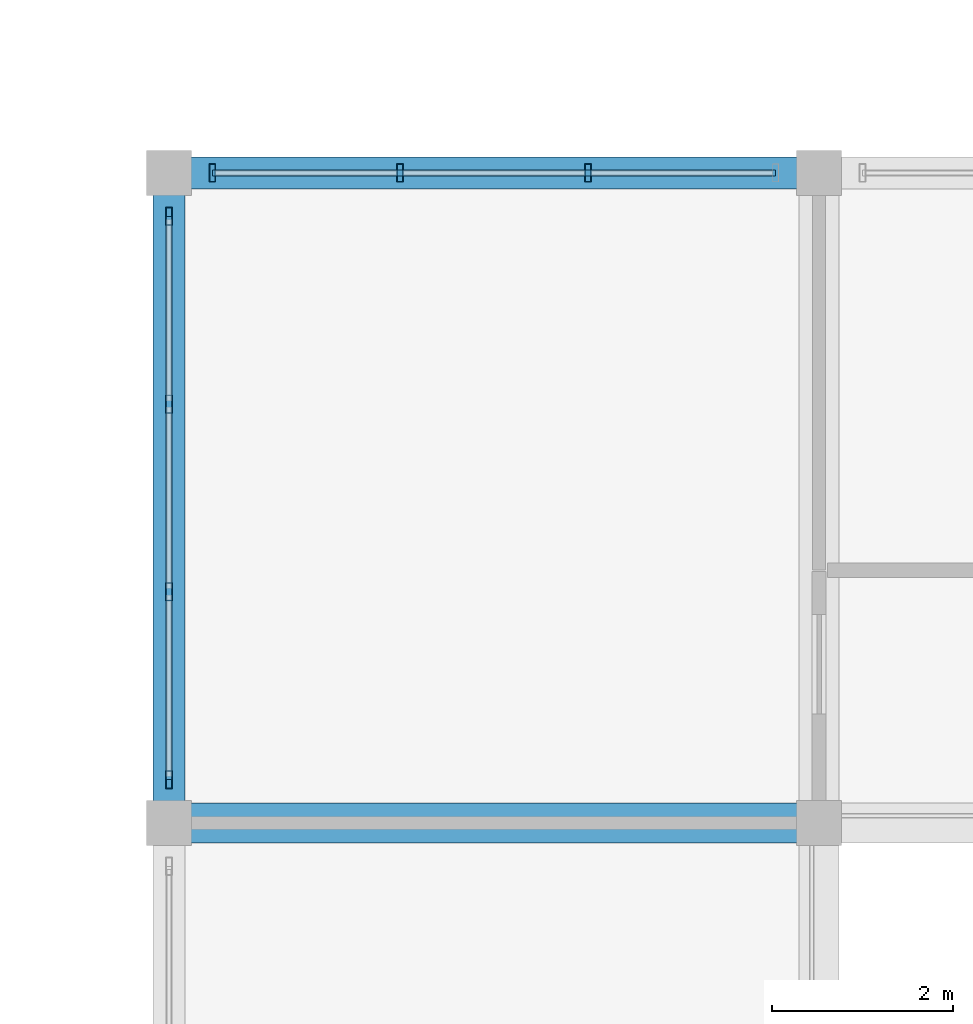
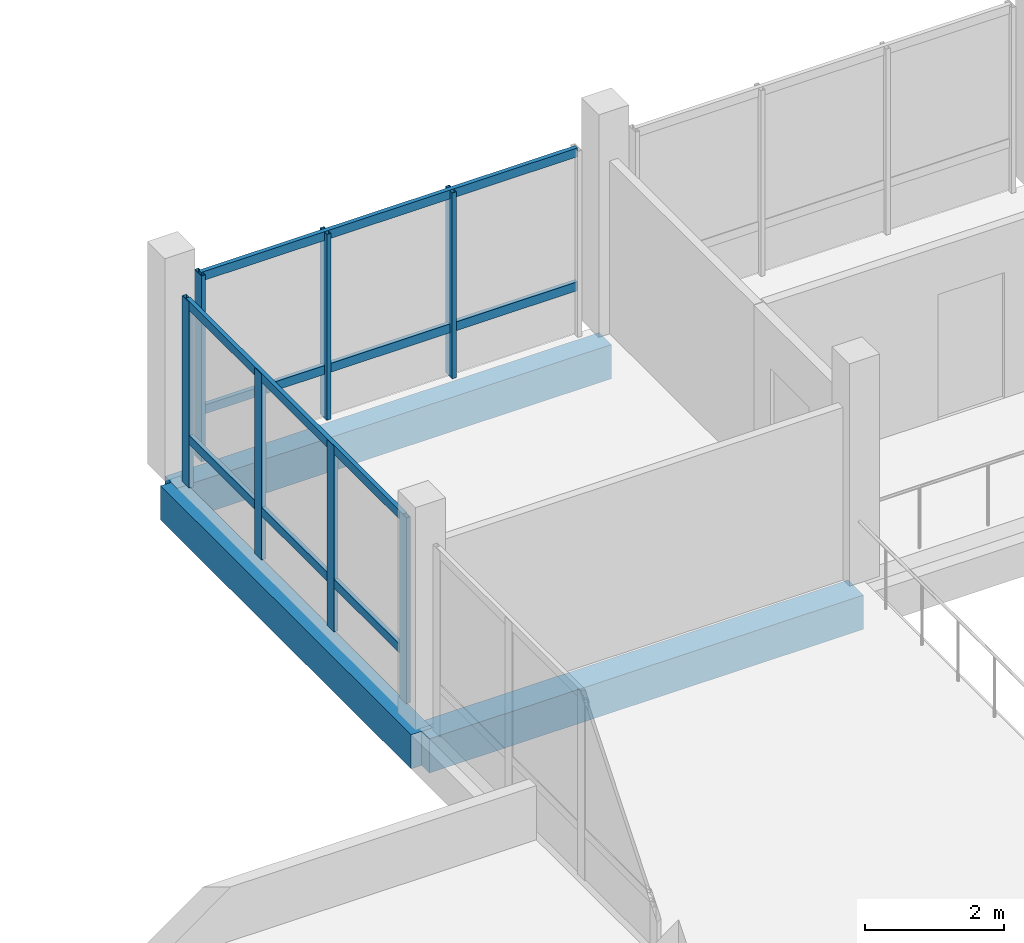
# One storey, part 38 of 128: 11 members, 3 beams, 2 elements without a shape of their own.
"""IFC4 building model written with IfcOpenShell, lengths in metres."""

from ifc_helpers import new_model, si_unit, direction, frame, origin, origin_2d, place, context, subcontext, project, spatial, rectangle, hollow_rectangle, extrude, material, material_profile, profile_set, type_object, element, aggregate, save


model = new_model("IFC4")

# Units and contexts
model_context = context("Model", 3, precision=1e-05, world=origin(), true_north=direction((0.0, 1.0)))
body_context = subcontext(model_context, "Body", "Model", "MODEL_VIEW")
ifc_project = project(units=[si_unit("LENGTHUNIT", "METRE"), si_unit("AREAUNIT", "SQUARE_METRE"), si_unit("VOLUMEUNIT", "CUBIC_METRE"), si_unit("PLANEANGLEUNIT", "RADIAN"), si_unit("MASSUNIT", "GRAM", prefix="KILO")], contexts=[model_context])

# Site, building, storey
site_placement = place(None, origin())
site = spatial("IfcSite", under=ifc_project, at=site_placement, CompositionType="ELEMENT")
building_placement = place(site_placement, origin())
building = spatial("IfcBuilding", under=site, at=building_placement, Name="Zornivar Specialist Clinic", CompositionType="ELEMENT")
storey_placement = place(building_placement, frame((0.0, 0.0, 4.5)))
storey = spatial("IfcBuildingStorey", under=building, at=storey_placement, Name="L01", CompositionType="ELEMENT", Elevation=4.5)

# Beams
ifc_material_1 = material(Name="Concrete C30/37", Category="concrete")
ifc_material_profile_1 = material_profile(ifc_material_1, rectangle(XDim=0.43994140625, YDim=0.60009765625, at=origin_2d()), Name="RC 440x600")
ifc_profile_set_1 = profile_set([ifc_material_profile_1], Name="Concrete C30/37")
beam_type_1 = type_object("IfcBeamType", Name="BM-RC-440x600", PredefinedType="BEAM", material=ifc_profile_set_1)
beam_placement = place(storey_placement, frame((122.39990234375, 14.39990234375, -0.56005859375), z_axis=(1.0, 0.0, 0.0), x_axis=(0.0, 1.0, 0.0)))
element("IfcBeam", 1, at=beam_placement, inside=storey, type_object=beam_type_1, Name="bm:V4:L01:x:144:0", PredefinedType="BEAM", context=body_context, shape_type="SweptSolid", body=[
    extrude(rectangle(XDim=0.43994140625, YDim=0.60009765625, at=origin_2d()), origin(), (0.0, 0.0, 1.0), 7.2001953125),
])
ifc_material_2 = material(Name="Concrete C30/37", Category="concrete")
ifc_material_profile_2 = material_profile(ifc_material_2, rectangle(XDim=0.35009765625, YDim=0.60009765625, at=origin_2d()), Name="RC 350x600")
ifc_profile_set_2 = profile_set([ifc_material_profile_2], Name="Concrete C30/37")
beam_type_2 = type_object("IfcBeamType", Name="BM-RC-SPANDREL-350x600", PredefinedType="SPANDREL", material=ifc_profile_set_2)
for number, where, z_axis, x_axis, name in (
    (2, (122.39990234375, 21.60009765625, -0.56005859375), (1.0, 0.0, 0.0), (0.0, 1.0, 0.0), "bm:V4:L01:x:216:0"),
    (3, (122.39990234375, 14.39990234375, -0.56005859375), (0.0, 1.0, 0.0), (-1.0, 0.0, 0.0), "bm:V4:L01:y:1224:2"),
):
    element("IfcBeam", number, at=place(storey_placement, frame(where, z_axis=z_axis, x_axis=x_axis)), inside=storey, type_object=beam_type_2, Name=name, PredefinedType="SPANDREL", context=body_context, shape_type="SweptSolid", body=[
        extrude(rectangle(XDim=0.35009765625, YDim=0.60009765625, at=origin_2d()), origin(), (0.0, 0.0, 1.0), 7.2001953125),
    ])

# Curtain wall, members
ifc_material_3 = material(Name="Aluminium and Low-E Glass Curtain Wall", Category="aluminium")
curtain_wall_type = type_object("IfcCurtainWallType", Name="CW-WINTERGARDEN", PredefinedType="NOTDEFINED", material=ifc_material_3)
curtain_wall_1_placement = place(storey_placement, origin())
curtain_wall_1 = element("IfcCurtainWall", 4, at=curtain_wall_1_placement, inside=storey, type_object=curtain_wall_type, Name="cw:V4:L01:14", PredefinedType="NOTDEFINED")
ifc_material_4 = material(Name="Aluminium AW-6060", Category="aluminium")
ifc_material_profile_3 = material_profile(ifc_material_4, hollow_rectangle(XDim=0.070068359375, YDim=0.199951171875, WallThickness=0.0048828125, at=origin_2d()), Name="ALU 70x200x5")
ifc_profile_set_3 = profile_set([ifc_material_profile_3], Name="Aluminium AW-6060")
member_type_1 = type_object("IfcMemberType", Name="CWM-MUL-200", PredefinedType="MULLION", material=ifc_profile_set_3)
member_1_placement = place(storey_placement, frame((127.0400390625, 21.60009765625, 0.0), z_axis=(0.0, 0.0, 1.0), x_axis=(1.0, 0.0, 0.0)))
member_1 = element("IfcMember", 5, at=member_1_placement, type_object=member_type_1, Name="cw:V4:L01:14:mul:1", PredefinedType="MULLION", context=body_context, shape_type="SweptSolid", body=[
    extrude(hollow_rectangle(XDim=0.070068359375, YDim=0.199951171875, WallThickness=0.0048828125, at=origin_2d()), origin(), (0.0, 0.0, 1.0), 3.260009765625),
])
member_2_placement = place(storey_placement, frame((124.9599609375, 21.60009765625, 0.0), z_axis=(0.0, 0.0, 1.0), x_axis=(1.0, 0.0, 0.0)))
member_2 = element("IfcMember", 6, at=member_2_placement, type_object=member_type_1, Name="cw:V4:L01:14:mul:2", PredefinedType="MULLION", context=body_context, shape_type="SweptSolid", body=[
    extrude(hollow_rectangle(XDim=0.070068359375, YDim=0.199951171875, WallThickness=0.0048828125, at=origin_2d()), origin(), (0.0, 0.0, 1.0), 3.260009765625),
])
member_3_placement = place(storey_placement, frame((122.8798828125, 21.60009765625, 0.0), z_axis=(0.0, 0.0, 1.0), x_axis=(1.0, 0.0, 0.0)))
member_3 = element("IfcMember", 7, at=member_3_placement, type_object=member_type_1, Name="cw:V4:L01:14:mul:3", PredefinedType="MULLION", context=body_context, shape_type="SweptSolid", body=[
    extrude(hollow_rectangle(XDim=0.070068359375, YDim=0.199951171875, WallThickness=0.0048828125, at=origin_2d()), origin(), (0.0, 0.0, 1.0), 3.260009765625),
])

curtain_wall_2_placement = place(storey_placement, origin())
curtain_wall_2 = element("IfcCurtainWall", 8, at=curtain_wall_2_placement, inside=storey, type_object=curtain_wall_type, Name="cw:V4:L01:15", PredefinedType="NOTDEFINED")
member_4_placement = place(storey_placement, frame((122.39990234375, 21.1201171875, 0.0), z_axis=(0.0, 0.0, 1.0), x_axis=(1.0, 0.0, 0.0)))
member_4 = element("IfcMember", 9, at=member_4_placement, type_object=member_type_1, Name="cw:V4:L01:15:mul:0", PredefinedType="MULLION", context=body_context, shape_type="SweptSolid", body=[
    extrude(hollow_rectangle(XDim=0.070068359375, YDim=0.199951171875, WallThickness=0.0048828125, at=origin_2d()), origin(), (0.0, 0.0, 1.0), 3.260009765625),
])
member_5_placement = place(storey_placement, frame((122.39990234375, 19.0400390625, 0.0), z_axis=(0.0, 0.0, 1.0), x_axis=(1.0, 0.0, 0.0)))
member_5 = element("IfcMember", 10, at=member_5_placement, type_object=member_type_1, Name="cw:V4:L01:15:mul:1", PredefinedType="MULLION", context=body_context, shape_type="SweptSolid", body=[
    extrude(hollow_rectangle(XDim=0.070068359375, YDim=0.199951171875, WallThickness=0.0048828125, at=origin_2d()), origin(), (0.0, 0.0, 1.0), 3.260009765625),
])
member_6_placement = place(storey_placement, frame((122.39990234375, 16.9599609375, 0.0), z_axis=(0.0, 0.0, 1.0), x_axis=(1.0, 0.0, 0.0)))
member_6 = element("IfcMember", 11, at=member_6_placement, type_object=member_type_1, Name="cw:V4:L01:15:mul:2", PredefinedType="MULLION", context=body_context, shape_type="SweptSolid", body=[
    extrude(hollow_rectangle(XDim=0.070068359375, YDim=0.199951171875, WallThickness=0.0048828125, at=origin_2d()), origin(), (0.0, 0.0, 1.0), 3.260009765625),
])
member_7_placement = place(storey_placement, frame((122.39990234375, 14.8798828125, 0.0), z_axis=(0.0, 0.0, 1.0), x_axis=(1.0, 0.0, 0.0)))
member_7 = element("IfcMember", 12, at=member_7_placement, type_object=member_type_1, Name="cw:V4:L01:15:mul:3", PredefinedType="MULLION", context=body_context, shape_type="SweptSolid", body=[
    extrude(hollow_rectangle(XDim=0.070068359375, YDim=0.199951171875, WallThickness=0.0048828125, at=origin_2d()), origin(), (0.0, 0.0, 1.0), 3.260009765625),
])

# Member
ifc_material_5 = material(Name="Aluminium AW-6060", Category="aluminium")
ifc_material_profile_4 = material_profile(ifc_material_5, hollow_rectangle(XDim=0.070068359375, YDim=0.155029296875, WallThickness=0.00439453125, at=origin_2d()), Name="ALU 70x155x4.5")
ifc_profile_set_4 = profile_set([ifc_material_profile_4], Name="Aluminium AW-6060")
member_type_2 = type_object("IfcMemberType", Name="CWM-TRN-155", PredefinedType="USERDEFINED", material=ifc_profile_set_4)
member_8_placement = place(storey_placement, frame((129.1201171875, 21.60009765625, 0.847900390625), z_axis=(-1.0, 0.0, 0.0), x_axis=(0.0, -1.0, 0.0)))
member_8 = element("IfcMember", 13, at=member_8_placement, type_object=member_type_2, Name="cw:V4:L01:14:trn:0", ObjectType="TRANSOM", PredefinedType="USERDEFINED", context=body_context, shape_type="SweptSolid", body=[
    extrude(hollow_rectangle(XDim=0.070068359375, YDim=0.155029296875, WallThickness=0.00439453125, at=origin_2d()), origin(), (0.0, 0.0, 1.0), 6.240234375),
])

member_9_placement = place(storey_placement, frame((129.1201171875, 21.60009765625, 3.195068359375), z_axis=(-1.0, 0.0, 0.0), x_axis=(0.0, -1.0, 0.0)))
member_9 = element("IfcMember", 14, at=member_9_placement, type_object=member_type_2, Name="cw:V4:L01:14:trn:1", ObjectType="TRANSOM", PredefinedType="USERDEFINED", context=body_context, shape_type="SweptSolid", body=[
    extrude(hollow_rectangle(XDim=0.070068359375, YDim=0.155029296875, WallThickness=0.00439453125, at=origin_2d()), origin(), (0.0, 0.0, 1.0), 6.240234375),
])

aggregate(curtain_wall_1, [member_1, member_2, member_3, member_8, member_9])

member_10_placement = place(storey_placement, frame((122.39990234375, 21.1201171875, 0.847900390625), z_axis=(0.0, -1.0, 0.0), x_axis=(1.0, 0.0, 0.0)))
member_10 = element("IfcMember", 15, at=member_10_placement, type_object=member_type_2, Name="cw:V4:L01:15:trn:0", ObjectType="TRANSOM", PredefinedType="USERDEFINED", context=body_context, shape_type="SweptSolid", body=[
    extrude(hollow_rectangle(XDim=0.070068359375, YDim=0.155029296875, WallThickness=0.00439453125, at=origin_2d()), origin(), (0.0, 0.0, 1.0), 6.240234375),
])

member_11_placement = place(storey_placement, frame((122.39990234375, 21.1201171875, 3.195068359375), z_axis=(0.0, -1.0, 0.0), x_axis=(1.0, 0.0, 0.0)))
member_11 = element("IfcMember", 16, at=member_11_placement, type_object=member_type_2, Name="cw:V4:L01:15:trn:1", ObjectType="TRANSOM", PredefinedType="USERDEFINED", context=body_context, shape_type="SweptSolid", body=[
    extrude(hollow_rectangle(XDim=0.070068359375, YDim=0.155029296875, WallThickness=0.00439453125, at=origin_2d()), origin(), (0.0, 0.0, 1.0), 6.240234375),
])

aggregate(curtain_wall_2, [member_4, member_5, member_6, member_7, member_10, member_11])

save(model, "model.ifc")
